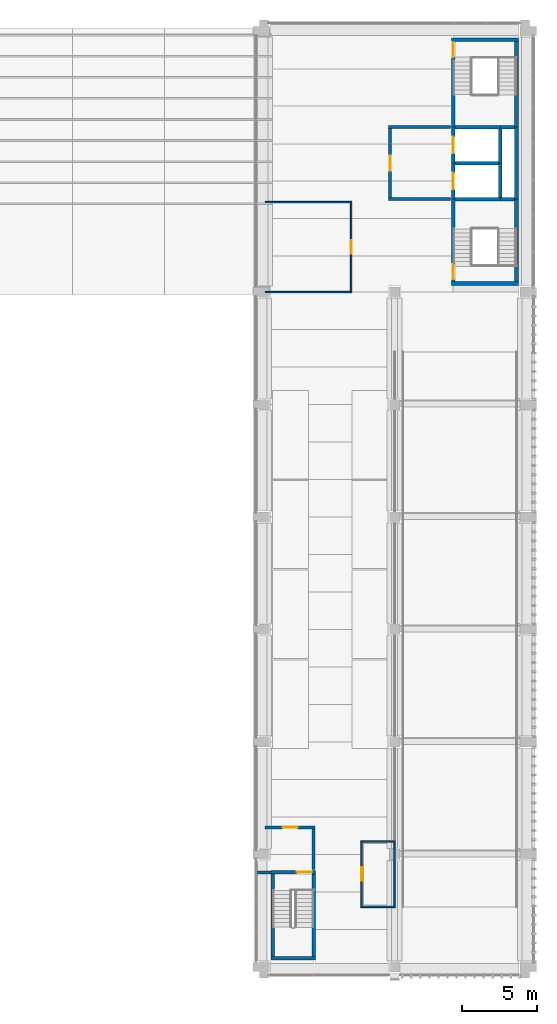
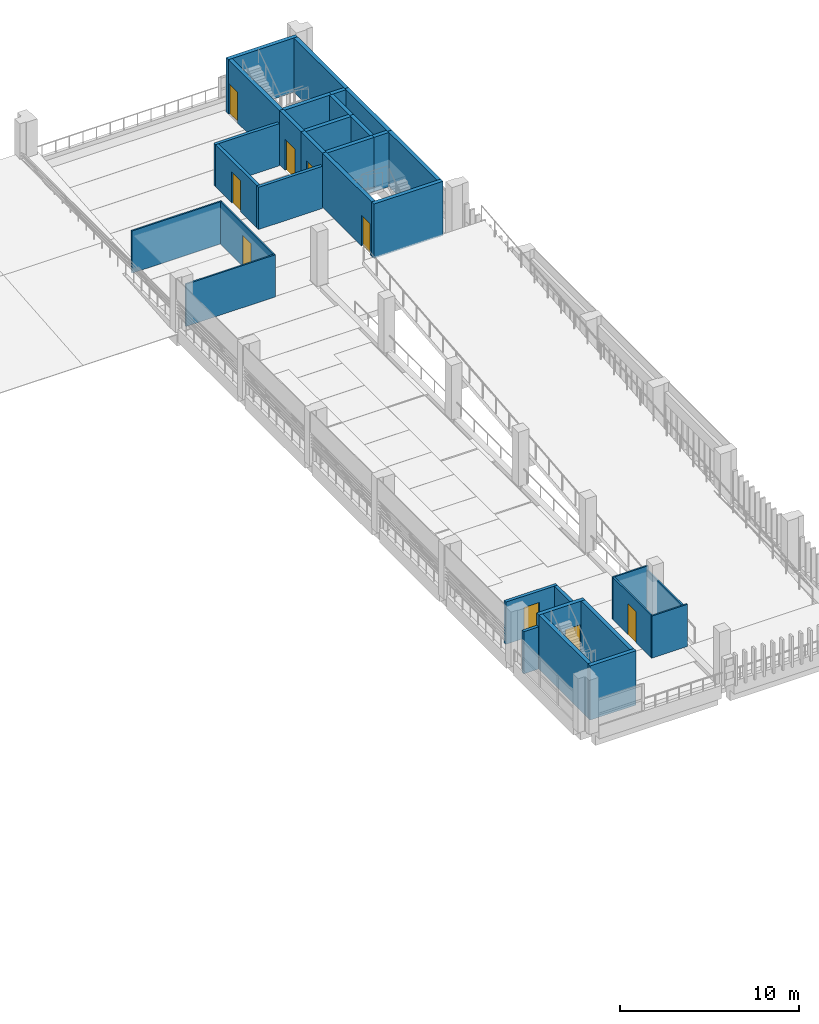
# One storey, part 13 of 24: 33 walls, 9 doors, 9 openings.
"""IFC4 building model written with IfcOpenShell, lengths in metres."""

from ifc_helpers import new_model, si_unit, direction, frame, frame_2d, origin, place, context, subcontext, project, spatial, rectangle, extrude, material, layer, layer_set, type_object, element, fill, save


model = new_model("IFC4")

# Units and contexts
model_context = context("Model", 3, precision=1e-05, world=origin(), true_north=direction((0.0, 1.0)))
body_context = subcontext(model_context, "Body", "Model", "MODEL_VIEW")
ifc_project = project(units=[si_unit("LENGTHUNIT", "METRE"), si_unit("AREAUNIT", "SQUARE_METRE"), si_unit("VOLUMEUNIT", "CUBIC_METRE"), si_unit("PLANEANGLEUNIT", "RADIAN"), si_unit("MASSUNIT", "GRAM", prefix="KILO")], contexts=[model_context])

# Site, building, storey
site_placement = place(None, origin())
site = spatial("IfcSite", under=ifc_project, at=site_placement, CompositionType="ELEMENT")
building_placement = place(site_placement, origin())
building = spatial("IfcBuilding", under=site, at=building_placement, Name="Cour d'Honneur Mobility Palace", CompositionType="ELEMENT")
storey_placement = place(building_placement, frame((0.0, 0.0, 26.699951171875)))
storey = spatial("IfcBuildingStorey", under=building, at=storey_placement, Name="L07", CompositionType="ELEMENT", Elevation=26.699951171875)

# Wall
ifc_material_1 = material(Name="Concrete C50", Category="concrete")
ifc_layer_1 = layer(ifc_material_1, 0.25)
ifc_layer_set_1 = layer_set([ifc_layer_1], Name="Concrete C50")
wall_type_1 = type_object("IfcWallType", Name="Lift shaft wall 250", PredefinedType="SHEAR", material=ifc_layer_set_1)
wall_1_placement = place(storey_placement, frame((157.625, 53.60009765625, 0.0), z_axis=(0.0, 0.0, 1.0), x_axis=(1.0, 0.0, 0.0)))
element("IfcWall", 1, at=wall_1_placement, inside=storey, type_object=wall_type_1, Name="Lift shaft wall WL-CE4 L07", PredefinedType="SHEAR", context=body_context, shape_type="SweptSolid", body=[
    extrude(rectangle(XDim=2.89990234375, YDim=0.25, at=frame_2d((1.449951171875, 0.0))), origin(), (0.0, 0.0, 1.0), 3.699951171875),
])

# Wall, opening, door
wall_2_placement = place(storey_placement, frame((157.5, 51.199951171875, 0.0), z_axis=(0.0, 0.0, 1.0), x_axis=(0.0, 1.0, 0.0)))
wall_2 = element("IfcWall", 2, at=wall_2_placement, inside=storey, type_object=wall_type_1, Name="Lift shaft wall WL-CE9 L07", PredefinedType="SHEAR", context=body_context, shape_type="SweptSolid", body=[
    extrude(rectangle(XDim=2.400146484375, YDim=0.25, at=frame_2d((1.2001953125, 0.0))), origin(), (0.0, 0.0, 1.0), 3.699951171875),
])
opening_1_placement = place(wall_2_placement, frame((0.64990234375, 0.0, 0.0)))
opening_1 = element("IfcOpeningElement", 3, at=opening_1_placement, cuts=wall_2, Name="Opening LD28", PredefinedType="OPENING", context=body_context, shape_type="SweptSolid", body=[
    extrude(rectangle(XDim=1.10009765625, YDim=2.10009765625, at=frame_2d((0.550048828125, 1.050048828125))), frame((0.0, 0.135009765625, 0.0), z_axis=(0.0, -1.0, 0.0), x_axis=(1.0, 0.0, 0.0)), (0.0, 0.0, 1.0), 0.27001953125),
])
ifc_material_2 = material(Name="Stainless steel", Category="steel")
door_type_1 = type_object("IfcDoorType", Name="Landing door 1100 x 2100", OperationType="SLIDING_TO_LEFT", PredefinedType="DOOR", material=ifc_material_2)
door_1_placement = place(opening_1_placement, origin())
door_1 = element("IfcDoor", 4, at=door_1_placement, inside=storey, type_object=door_type_1, Name="Landing door LF-CE1 L07", OperationType="SLIDING_TO_LEFT", OverallHeight=2.10009765625, OverallWidth=1.10009765625, PredefinedType="DOOR", context=body_context, shape_type="SweptSolid", body=[
    extrude(rectangle(XDim=1.10009765625, YDim=2.10009765625, at=frame_2d((0.550048828125, 1.050048828125))), frame((0.0, 0.02490234375, 0.0), z_axis=(0.0, -1.0, 0.0), x_axis=(1.0, 0.0, 0.0)), (0.0, 0.0, 1.0), 0.050048828125),
])
fill(opening_1, door_1)

wall_3_placement = place(storey_placement, frame((157.5, 53.60009765625, 0.0), z_axis=(0.0, 0.0, 1.0), x_axis=(0.0, 1.0, 0.0)))
wall_3 = element("IfcWall", 5, at=wall_3_placement, inside=storey, type_object=wall_type_1, Name="Lift shaft wall WL-CE10 L07", PredefinedType="SHEAR", context=body_context, shape_type="SweptSolid", body=[
    extrude(rectangle(XDim=2.39990234375, YDim=0.25, at=frame_2d((1.199951171875, 0.0))), origin(), (0.0, 0.0, 1.0), 3.699951171875),
])
opening_2_placement = place(wall_3_placement, frame((0.64990234375, 0.0, 0.0)))
opening_2 = element("IfcOpeningElement", 6, at=opening_2_placement, cuts=wall_3, Name="Opening LD38", PredefinedType="OPENING", context=body_context, shape_type="SweptSolid", body=[
    extrude(rectangle(XDim=1.10009765625, YDim=2.10009765625, at=frame_2d((0.550048828125, 1.050048828125))), frame((0.0, 0.135009765625, 0.0), z_axis=(0.0, -1.0, 0.0), x_axis=(1.0, 0.0, 0.0)), (0.0, 0.0, 1.0), 0.27001953125),
])
door_2_placement = place(opening_2_placement, origin())
door_2 = element("IfcDoor", 7, at=door_2_placement, inside=storey, type_object=door_type_1, Name="Landing door LF-CE2 L07", OperationType="SLIDING_TO_LEFT", OverallHeight=2.10009765625, OverallWidth=1.10009765625, PredefinedType="DOOR", context=body_context, shape_type="SweptSolid", body=[
    extrude(rectangle(XDim=1.10009765625, YDim=2.10009765625, at=frame_2d((0.550048828125, 1.050048828125))), frame((0.0, 0.02490234375, 0.0), z_axis=(0.0, -1.0, 0.0), x_axis=(1.0, 0.0, 0.0)), (0.0, 0.0, 1.0), 0.050048828125),
])
fill(opening_2, door_2)

# Walls
wall_4_placement = place(storey_placement, frame((160.64990234375, 51.324951171875, 0.0), z_axis=(0.0, 0.0, 1.0), x_axis=(0.0, 1.0, 0.0)))
element("IfcWall", 8, at=wall_4_placement, inside=storey, type_object=wall_type_1, Name="Lift shaft wall WL-CE12 L07", PredefinedType="SHEAR", context=body_context, shape_type="SweptSolid", body=[
    extrude(rectangle(XDim=2.275146484375, YDim=0.25, at=frame_2d((1.1376953125, 0.0))), origin(), (0.0, 0.0, 1.0), 3.699951171875),
])
wall_5_placement = place(storey_placement, frame((160.64990234375, 53.60009765625, 0.0), z_axis=(0.0, 0.0, 1.0), x_axis=(0.0, 1.0, 0.0)))
element("IfcWall", 9, at=wall_5_placement, inside=storey, type_object=wall_type_1, Name="Lift shaft wall WL-CE13 L07", PredefinedType="SHEAR", context=body_context, shape_type="SweptSolid", body=[
    extrude(rectangle(XDim=2.27490234375, YDim=0.25, at=frame_2d((1.137451171875, 0.0))), origin(), (0.0, 0.0, 1.0), 3.699951171875),
])
ifc_material_3 = material(Name="Gypsum plasterboard")
ifc_layer_2 = layer(ifc_material_3, 0.10009765625)
ifc_layer_set_2 = layer_set([ifc_layer_2], Name="Gypsum plasterboard")
wall_type_2 = type_object("IfcWallType", Name="Partition 100", PredefinedType="PARTITIONING", material=ifc_layer_set_2)
wall_6_placement = place(storey_placement, frame((151.35009765625, 4.0, 0.0), z_axis=(0.0, 0.0, 1.0), x_axis=(1.0, 0.0, 0.0)))
element("IfcWall", 10, at=wall_6_placement, inside=storey, type_object=wall_type_2, Name="Partition 003", PredefinedType="PARTITIONING", context=body_context, shape_type="SweptSolid", body=[
    extrude(rectangle(XDim=2.2998046875, YDim=0.10009765625, at=frame_2d((1.14990234375, 0.0))), origin(), (0.0, 0.0, 1.0), 2.880126953125),
])

# Wall, opening, door
wall_7_placement = place(storey_placement, frame((151.39990234375, 8.300048828125, 0.0), z_axis=(0.0, 0.0, 1.0), x_axis=(0.0, -1.0, 0.0)))
wall_7 = element("IfcWall", 11, at=wall_7_placement, inside=storey, type_object=wall_type_2, Name="Partition 010", PredefinedType="PARTITIONING", context=body_context, shape_type="SweptSolid", body=[
    extrude(rectangle(XDim=4.25, YDim=0.10009765625, at=frame_2d((2.125, 0.0))), origin(), (0.0, 0.0, 1.0), 2.880126953125),
])
opening_3_placement = place(wall_7_placement, frame((1.675048828125, 0.0, 0.0)))
opening_3 = element("IfcOpeningElement", 12, at=opening_3_placement, cuts=wall_7, Name="Opening D0705", PredefinedType="OPENING", context=body_context, shape_type="SweptSolid", body=[
    extrude(rectangle(XDim=0.89990234375, YDim=2.10009765625, at=frame_2d((0.449951171875, 1.050048828125))), frame((0.0, 0.06005859375, 0.0), z_axis=(0.0, -1.0, 0.0), x_axis=(1.0, 0.0, 0.0)), (0.0, 0.0, 1.0), 0.1201171875),
])
ifc_material_4 = material(Name="Solid timber", Category="wood")
door_type_2 = type_object("IfcDoorType", Name="Single door 900 x 2100", OperationType="SINGLE_SWING_LEFT", PredefinedType="DOOR", material=ifc_material_4)
door_3_placement = place(opening_3_placement, origin())
door_3 = element("IfcDoor", 13, at=door_3_placement, inside=storey, type_object=door_type_2, Name="Door Valet Handover East", OperationType="SINGLE_SWING_RIGHT", OverallHeight=2.10009765625, OverallWidth=0.89990234375, PredefinedType="DOOR", context=body_context, shape_type="SweptSolid", body=[
    extrude(rectangle(XDim=0.89990234375, YDim=2.10009765625, at=frame_2d((0.449951171875, 1.050048828125))), frame((0.0, 0.02490234375, 0.0), z_axis=(0.0, -1.0, 0.0), x_axis=(1.0, 0.0, 0.0)), (0.0, 0.0, 1.0), 0.050048828125),
])
fill(opening_3, door_3)

# Walls
wall_8_placement = place(storey_placement, frame((153.64990234375, 8.35009765625, 0.0), z_axis=(0.0, 0.0, 1.0), x_axis=(-1.0, 0.0, 0.0)))
element("IfcWall", 14, at=wall_8_placement, inside=storey, type_object=wall_type_2, Name="Partition 011", PredefinedType="PARTITIONING", context=body_context, shape_type="SweptSolid", body=[
    extrude(rectangle(XDim=2.2998046875, YDim=0.10009765625, at=frame_2d((1.14990234375, 0.0))), origin(), (0.0, 0.0, 1.0), 2.880126953125),
])
wall_9_placement = place(storey_placement, frame((144.9599609375, 45.0, 0.0), z_axis=(0.0, 0.0, 1.0), x_axis=(1.0, 0.0, 0.0)))
element("IfcWall", 15, at=wall_9_placement, inside=storey, type_object=wall_type_2, Name="Partition 016", PredefinedType="PARTITIONING", context=body_context, shape_type="SweptSolid", body=[
    extrude(rectangle(XDim=5.7900390625, YDim=0.10009765625, at=frame_2d((2.89501953125, 0.0))), origin(), (0.0, 0.0, 1.0), 2.880126953125),
])

# Wall, opening, door
wall_10_placement = place(storey_placement, frame((150.699951171875, 45.050048828125, 0.0), z_axis=(0.0, 0.0, 1.0), x_axis=(0.0, 1.0, 0.0)))
wall_10 = element("IfcWall", 16, at=wall_10_placement, inside=storey, type_object=wall_type_2, Name="Partition 017", PredefinedType="PARTITIONING", context=body_context, shape_type="SweptSolid", body=[
    extrude(rectangle(XDim=5.89990234375, YDim=0.10009765625, at=frame_2d((2.949951171875, 0.0))), origin(), (0.0, 0.0, 1.0), 2.880126953125),
])
opening_4_placement = place(wall_10_placement, frame((2.5, 0.0, 0.0)))
opening_4 = element("IfcOpeningElement", 17, at=opening_4_placement, cuts=wall_10, Name="Opening D0707", PredefinedType="OPENING", context=body_context, shape_type="SweptSolid", body=[
    extrude(rectangle(XDim=0.89990234375, YDim=2.10009765625, at=frame_2d((0.449951171875, 1.050048828125))), frame((0.0, 0.06005859375, 0.0), z_axis=(0.0, -1.0, 0.0), x_axis=(1.0, 0.0, 0.0)), (0.0, 0.0, 1.0), 0.1201171875),
])
door_4_placement = place(opening_4_placement, origin())
door_4 = element("IfcDoor", 18, at=door_4_placement, inside=storey, type_object=door_type_2, Name="Door Attendant Room", OperationType="SINGLE_SWING_RIGHT", OverallHeight=2.10009765625, OverallWidth=0.89990234375, PredefinedType="DOOR", context=body_context, shape_type="SweptSolid", body=[
    extrude(rectangle(XDim=0.89990234375, YDim=2.10009765625, at=frame_2d((0.449951171875, 1.050048828125))), frame((0.0, 0.02490234375, 0.0), z_axis=(0.0, -1.0, 0.0), x_axis=(1.0, 0.0, 0.0)), (0.0, 0.0, 1.0), 0.050048828125),
])
fill(opening_4, door_4)

# Walls
wall_11_placement = place(storey_placement, frame((150.75, 51.0, 0.0), z_axis=(0.0, 0.0, 1.0), x_axis=(-1.0, 0.0, 0.0)))
element("IfcWall", 19, at=wall_11_placement, inside=storey, type_object=wall_type_2, Name="Partition 020", PredefinedType="PARTITIONING", context=body_context, shape_type="SweptSolid", body=[
    extrude(rectangle(XDim=5.7900390625, YDim=0.10009765625, at=frame_2d((2.89501953125, 0.0))), origin(), (0.0, 0.0, 1.0), 2.880126953125),
])
ifc_material_5 = material(Name="Gypsum plasterboard")
ifc_layer_3 = layer(ifc_material_5, 0.10009765625)
ifc_layer_set_3 = layer_set([ifc_layer_3], Name="Gypsum plasterboard")
wall_type_3 = type_object("IfcWallType", Name="Partition 100 under beam 1100", PredefinedType="PARTITIONING", material=ifc_layer_set_3)
wall_12_placement = place(storey_placement, frame((153.60009765625, 4.050048828125, 0.0), z_axis=(0.0, 0.0, 1.0), x_axis=(0.0, 1.0, 0.0)))
element("IfcWall", 20, at=wall_12_placement, inside=storey, type_object=wall_type_3, Name="Partition 004", PredefinedType="PARTITIONING", context=body_context, shape_type="SweptSolid", body=[
    extrude(rectangle(XDim=4.25, YDim=0.10009765625, at=frame_2d((2.125, 0.0))), origin(), (0.0, 0.0, 1.0), 2.60009765625),
])
ifc_material_6 = material(Name="Gypsum plasterboard")
ifc_layer_4 = layer(ifc_material_6, 0.199951171875)
ifc_layer_set_4 = layer_set([ifc_layer_4], Name="Gypsum plasterboard")
wall_type_4 = type_object("IfcWallType", Name="Partition 200 rated EI 120", PredefinedType="PARTITIONING", material=ifc_layer_set_4)
wall_13_placement = place(storey_placement, frame((144.39990234375, 6.300048828125, 0.0), z_axis=(0.0, 0.0, 1.0), x_axis=(1.0, 0.0, 0.0)))
element("IfcWall", 21, at=wall_13_placement, inside=storey, type_object=wall_type_4, Name="Partition 006", PredefinedType="PARTITIONING", context=body_context, shape_type="SweptSolid", body=[
    extrude(rectangle(XDim=0.9501953125, YDim=0.199951171875, at=frame_2d((0.47509765625, 0.0))), origin(), (0.0, 0.0, 1.0), 2.880126953125),
])
wall_14_placement = place(storey_placement, frame((148.199951171875, 6.47509765625, 0.0), z_axis=(0.0, 0.0, 1.0), x_axis=(0.0, 1.0, 0.0)))
element("IfcWall", 22, at=wall_14_placement, inside=storey, type_object=wall_type_4, Name="Partition 007", PredefinedType="PARTITIONING", context=body_context, shape_type="SweptSolid", body=[
    extrude(rectangle(XDim=2.724853515625, YDim=0.199951171875, at=frame_2d((1.3623046875, 0.0))), origin(), (0.0, 0.0, 1.0), 2.880126953125),
])

# Wall, opening, door
wall_15_placement = place(storey_placement, frame((148.300048828125, 9.300048828125, 0.0), z_axis=(0.0, 0.0, 1.0), x_axis=(-1.0, 0.0, 0.0)))
wall_15 = element("IfcWall", 23, at=wall_15_placement, inside=storey, type_object=wall_type_4, Name="Partition 014", PredefinedType="PARTITIONING", context=body_context, shape_type="SweptSolid", body=[
    extrude(rectangle(XDim=3.340087890625, YDim=0.199951171875, at=frame_2d((1.669921875, 0.0))), origin(), (0.0, 0.0, 1.0), 2.880126953125),
])
opening_5_placement = place(wall_15_placement, frame((1.169921875, 0.0, 0.0)))
opening_5 = element("IfcOpeningElement", 24, at=opening_5_placement, cuts=wall_15, Name="Opening D0703", PredefinedType="OPENING", context=body_context, shape_type="SweptSolid", body=[
    extrude(rectangle(XDim=1.0, YDim=2.10009765625, at=frame_2d((0.5, 1.050048828125))), frame((0.0, 0.10986328125, 0.0), z_axis=(0.0, -1.0, 0.0), x_axis=(1.0, 0.0, 0.0)), (0.0, 0.0, 1.0), 0.219970703125),
])
ifc_material_7 = material(Name="Galvanised steel", Category="steel")
door_type_3 = type_object("IfcDoorType", Name="Fire door FD120 1000 x 2100", OperationType="SINGLE_SWING_LEFT", PredefinedType="DOOR", material=ifc_material_7)
door_5_placement = place(opening_5_placement, origin())
door_5 = element("IfcDoor", 25, at=door_5_placement, inside=storey, type_object=door_type_3, Name="Door Stair Lobby RE", OperationType="SINGLE_SWING_RIGHT", OverallHeight=2.10009765625, OverallWidth=1.0, PredefinedType="DOOR", context=body_context, shape_type="SweptSolid", body=[
    extrude(rectangle(XDim=1.0, YDim=2.10009765625, at=frame_2d((0.5, 1.050048828125))), frame((0.0, 0.02490234375, 0.0), z_axis=(0.0, -1.0, 0.0), x_axis=(1.0, 0.0, 0.0)), (0.0, 0.0, 1.0), 0.050048828125),
])
fill(opening_5, door_5)

# Wall
wall_16_placement = place(storey_placement, frame((153.199951171875, 51.199951171875, 0.0), z_axis=(0.0, 0.0, 1.0), x_axis=(1.0, 0.0, 0.0)))
element("IfcWall", 26, at=wall_16_placement, inside=storey, type_object=wall_type_4, Name="Partition 023", PredefinedType="PARTITIONING", context=body_context, shape_type="SweptSolid", body=[
    extrude(rectangle(XDim=4.125, YDim=0.199951171875, at=frame_2d((2.0625, 0.0))), origin(), (0.0, 0.0, 1.0), 2.880126953125),
])

# Wall, opening, door
wall_17_placement = place(storey_placement, frame((153.300048828125, 55.89990234375, 0.0), z_axis=(0.0, 0.0, 1.0), x_axis=(0.0, -1.0, 0.0)))
wall_17 = element("IfcWall", 27, at=wall_17_placement, inside=storey, type_object=wall_type_4, Name="Partition 025", PredefinedType="PARTITIONING", context=body_context, shape_type="SweptSolid", body=[
    extrude(rectangle(XDim=4.599853515625, YDim=0.199951171875, at=frame_2d((2.2998046875, 0.0))), origin(), (0.0, 0.0, 1.0), 2.880126953125),
])
opening_6_placement = place(wall_17_placement, frame((1.800048828125, 0.0, 0.0)))
opening_6 = element("IfcOpeningElement", 28, at=opening_6_placement, cuts=wall_17, Name="Opening D0708", PredefinedType="OPENING", context=body_context, shape_type="SweptSolid", body=[
    extrude(rectangle(XDim=1.0, YDim=2.10009765625, at=frame_2d((0.5, 1.050048828125))), frame((0.0, 0.10986328125, 0.0), z_axis=(0.0, -1.0, 0.0), x_axis=(1.0, 0.0, 0.0)), (0.0, 0.0, 1.0), 0.219970703125),
])
door_6_placement = place(opening_6_placement, origin())
door_6 = element("IfcDoor", 29, at=door_6_placement, inside=storey, type_object=door_type_3, Name="Door Firefighting Lobby CE", OperationType="SINGLE_SWING_LEFT", OverallHeight=2.10009765625, OverallWidth=1.0, PredefinedType="DOOR", context=body_context, shape_type="SweptSolid", body=[
    extrude(rectangle(XDim=1.0, YDim=2.10009765625, at=frame_2d((0.5, 1.050048828125))), frame((0.0, 0.02490234375, 0.0), z_axis=(0.0, -1.0, 0.0), x_axis=(1.0, 0.0, 0.0)), (0.0, 0.0, 1.0), 0.050048828125),
])
fill(opening_6, door_6)

# Walls
wall_18_placement = place(storey_placement, frame((157.324951171875, 56.0, 0.0), z_axis=(0.0, 0.0, 1.0), x_axis=(-1.0, 0.0, 0.0)))
element("IfcWall", 30, at=wall_18_placement, inside=storey, type_object=wall_type_4, Name="Partition 026", PredefinedType="PARTITIONING", context=body_context, shape_type="SweptSolid", body=[
    extrude(rectangle(XDim=4.125, YDim=0.199951171875, at=frame_2d((2.0625, 0.0))), origin(), (0.0, 0.0, 1.0), 2.880126953125),
])
ifc_material_8 = material(Name="Concrete C50", Category="concrete")
ifc_layer_5 = layer(ifc_material_8, 0.25)
ifc_layer_set_5 = layer_set([ifc_layer_5], Name="Concrete C50")
wall_type_5 = type_object("IfcWallType", Name="Shaft wall 250", PredefinedType="SHEAR", material=ifc_layer_set_5)
wall_19_placement = place(storey_placement, frame((161.72509765625, 51.199951171875, 0.0), z_axis=(0.0, 0.0, 1.0), x_axis=(0.0, 1.0, 0.0)))
element("IfcWall", 31, at=wall_19_placement, inside=storey, type_object=wall_type_5, Name="Shaft wall WR-CE15 L07", PredefinedType="SHEAR", context=body_context, shape_type="SweptSolid", body=[
    extrude(rectangle(XDim=4.800048828125, YDim=0.25, at=frame_2d((2.39990234375, 0.0))), origin(), (0.0, 0.0, 1.0), 3.699951171875),
])
ifc_material_9 = material(Name="Concrete C50", Category="concrete")
ifc_layer_6 = layer(ifc_material_9, 0.25)
ifc_layer_set_6 = layer_set([ifc_layer_6], Name="Concrete C50")
wall_type_6 = type_object("IfcWallType", Name="Stair wall 250", PredefinedType="SHEAR", material=ifc_layer_set_6)
wall_20_placement = place(storey_placement, frame((157.375, 45.574951171875, 0.0), z_axis=(0.0, 0.0, 1.0), x_axis=(1.0, 0.0, 0.0)))
element("IfcWall", 32, at=wall_20_placement, inside=storey, type_object=wall_type_6, Name="Stair wall WS-CE1 L07", PredefinedType="SHEAR", context=body_context, shape_type="SweptSolid", body=[
    extrude(rectangle(XDim=4.47509765625, YDim=0.25, at=frame_2d((2.237548828125, 0.0))), origin(), (0.0, 0.0, 1.0), 3.699951171875),
])
wall_21_placement = place(storey_placement, frame((157.625, 51.199951171875, 0.0), z_axis=(0.0, 0.0, 1.0), x_axis=(1.0, 0.0, 0.0)))
element("IfcWall", 33, at=wall_21_placement, inside=storey, type_object=wall_type_6, Name="Stair wall WS-CE2 L07", PredefinedType="SHEAR", context=body_context, shape_type="SweptSolid", body=[
    extrude(rectangle(XDim=3.02490234375, YDim=0.25, at=frame_2d((1.512451171875, 0.0))), origin(), (0.0, 0.0, 1.0), 3.699951171875),
])
wall_22_placement = place(storey_placement, frame((160.64990234375, 51.199951171875, 0.0), z_axis=(0.0, 0.0, 1.0), x_axis=(1.0, 0.0, 0.0)))
element("IfcWall", 34, at=wall_22_placement, inside=storey, type_object=wall_type_6, Name="Stair wall WS-CE3 L07", PredefinedType="SHEAR", context=body_context, shape_type="SweptSolid", body=[
    extrude(rectangle(XDim=0.9501953125, YDim=0.25, at=frame_2d((0.47509765625, 0.0))), origin(), (0.0, 0.0, 1.0), 3.699951171875),
])
wall_23_placement = place(storey_placement, frame((157.625, 56.0, 0.0), z_axis=(0.0, 0.0, 1.0), x_axis=(1.0, 0.0, 0.0)))
element("IfcWall", 35, at=wall_23_placement, inside=storey, type_object=wall_type_6, Name="Stair wall WS-CE5 L07", PredefinedType="SHEAR", context=body_context, shape_type="SweptSolid", body=[
    extrude(rectangle(XDim=3.02490234375, YDim=0.25, at=frame_2d((1.512451171875, 0.0))), origin(), (0.0, 0.0, 1.0), 3.699951171875),
])
wall_24_placement = place(storey_placement, frame((160.64990234375, 56.0, 0.0), z_axis=(0.0, 0.0, 1.0), x_axis=(1.0, 0.0, 0.0)))
element("IfcWall", 36, at=wall_24_placement, inside=storey, type_object=wall_type_6, Name="Stair wall WS-CE6 L07", PredefinedType="SHEAR", context=body_context, shape_type="SweptSolid", body=[
    extrude(rectangle(XDim=0.9501953125, YDim=0.25, at=frame_2d((0.47509765625, 0.0))), origin(), (0.0, 0.0, 1.0), 3.699951171875),
])
wall_25_placement = place(storey_placement, frame((157.375, 61.824951171875, 0.0), z_axis=(0.0, 0.0, 1.0), x_axis=(1.0, 0.0, 0.0)))
element("IfcWall", 37, at=wall_25_placement, inside=storey, type_object=wall_type_6, Name="Stair wall WS-CE7 L07", PredefinedType="SHEAR", context=body_context, shape_type="SweptSolid", body=[
    extrude(rectangle(XDim=4.47509765625, YDim=0.25, at=frame_2d((2.237548828125, 0.0))), origin(), (0.0, 0.0, 1.0), 3.699951171875),
])

# Wall, opening, door
wall_26_placement = place(storey_placement, frame((157.5, 45.699951171875, 0.0), z_axis=(0.0, 0.0, 1.0), x_axis=(0.0, 1.0, 0.0)))
wall_26 = element("IfcWall", 38, at=wall_26_placement, inside=storey, type_object=wall_type_6, Name="Stair wall WS-CE8 L07", PredefinedType="SHEAR", context=body_context, shape_type="SweptSolid", body=[
    extrude(rectangle(XDim=5.5, YDim=0.25, at=frame_2d((2.75, 0.0))), origin(), (0.0, 0.0, 1.0), 3.699951171875),
])
opening_7_placement = place(wall_26_placement, frame((0.14990234375, 0.0, 0.0)))
opening_7 = element("IfcOpeningElement", 39, at=opening_7_placement, cuts=wall_26, Name="Opening S146", PredefinedType="OPENING", context=body_context, shape_type="SweptSolid", body=[
    extrude(rectangle(XDim=1.0, YDim=2.10009765625, at=frame_2d((0.5, 1.050048828125))), frame((0.0, 0.135009765625, 0.0), z_axis=(0.0, -1.0, 0.0), x_axis=(1.0, 0.0, 0.0)), (0.0, 0.0, 1.0), 0.27001953125),
])
ifc_material_10 = material(Name="Galvanised steel", Category="steel")
door_type_4 = type_object("IfcDoorType", Name="Fire door FD120 stair 1000 x 2100", OperationType="SINGLE_SWING_LEFT", PredefinedType="DOOR", material=ifc_material_10)
door_7_placement = place(opening_7_placement, origin())
door_7 = element("IfcDoor", 40, at=door_7_placement, inside=storey, type_object=door_type_4, Name="Stair door ST-CE1 L07", OperationType="SINGLE_SWING_LEFT", OverallHeight=2.10009765625, OverallWidth=1.0, PredefinedType="DOOR", context=body_context, shape_type="SweptSolid", body=[
    extrude(rectangle(XDim=1.0, YDim=2.10009765625, at=frame_2d((0.5, 1.050048828125))), frame((0.0, 0.02490234375, 0.0), z_axis=(0.0, -1.0, 0.0), x_axis=(1.0, 0.0, 0.0)), (0.0, 0.0, 1.0), 0.050048828125),
])
fill(opening_7, door_7)

wall_27_placement = place(storey_placement, frame((157.5, 56.0, 0.0), z_axis=(0.0, 0.0, 1.0), x_axis=(0.0, 1.0, 0.0)))
wall_27 = element("IfcWall", 41, at=wall_27_placement, inside=storey, type_object=wall_type_6, Name="Stair wall WS-CE11 L07", PredefinedType="SHEAR", context=body_context, shape_type="SweptSolid", body=[
    extrude(rectangle(XDim=5.699951171875, YDim=0.25, at=frame_2d((2.85009765625, 0.0))), origin(), (0.0, 0.0, 1.0), 3.699951171875),
])
opening_8_placement = place(wall_27_placement, frame((4.675048828125, 0.0, 0.0)))
opening_8 = element("IfcOpeningElement", 42, at=opening_8_placement, cuts=wall_27, Name="Opening S82", PredefinedType="OPENING", context=body_context, shape_type="SweptSolid", body=[
    extrude(rectangle(XDim=1.0, YDim=2.10009765625, at=frame_2d((0.5, 1.050048828125))), frame((0.0, 0.135009765625, 0.0), z_axis=(0.0, -1.0, 0.0), x_axis=(1.0, 0.0, 0.0)), (0.0, 0.0, 1.0), 0.27001953125),
])
door_8_placement = place(opening_8_placement, origin())
door_8 = element("IfcDoor", 43, at=door_8_placement, inside=storey, type_object=door_type_4, Name="Stair door ST-CE2 L07", OperationType="SINGLE_SWING_RIGHT", OverallHeight=2.10009765625, OverallWidth=1.0, PredefinedType="DOOR", context=body_context, shape_type="SweptSolid", body=[
    extrude(rectangle(XDim=1.0, YDim=2.10009765625, at=frame_2d((0.5, 1.050048828125))), frame((0.0, 0.02490234375, 0.0), z_axis=(0.0, -1.0, 0.0), x_axis=(1.0, 0.0, 0.0)), (0.0, 0.0, 1.0), 0.050048828125),
])
fill(opening_8, door_8)

# Walls
wall_28_placement = place(storey_placement, frame((161.72509765625, 45.699951171875, 0.0), z_axis=(0.0, 0.0, 1.0), x_axis=(0.0, 1.0, 0.0)))
element("IfcWall", 44, at=wall_28_placement, inside=storey, type_object=wall_type_6, Name="Stair wall WS-CE14 L07", PredefinedType="SHEAR", context=body_context, shape_type="SweptSolid", body=[
    extrude(rectangle(XDim=5.5, YDim=0.25, at=frame_2d((2.75, 0.0))), origin(), (0.0, 0.0, 1.0), 3.699951171875),
])
wall_29_placement = place(storey_placement, frame((161.72509765625, 56.0, 0.0), z_axis=(0.0, 0.0, 1.0), x_axis=(0.0, 1.0, 0.0)))
element("IfcWall", 45, at=wall_29_placement, inside=storey, type_object=wall_type_6, Name="Stair wall WS-CE16 L07", PredefinedType="SHEAR", context=body_context, shape_type="SweptSolid", body=[
    extrude(rectangle(XDim=5.699951171875, YDim=0.25, at=frame_2d((2.85009765625, 0.0))), origin(), (0.0, 0.0, 1.0), 3.699951171875),
])
wall_30_placement = place(storey_placement, frame((145.35009765625, 0.574951171875, 0.0), z_axis=(0.0, 0.0, 1.0), x_axis=(1.0, 0.0, 0.0)))
element("IfcWall", 46, at=wall_30_placement, inside=storey, type_object=wall_type_6, Name="Stair wall WS-RE1 L07", PredefinedType="SHEAR", context=body_context, shape_type="SweptSolid", body=[
    extrude(rectangle(XDim=2.974853515625, YDim=0.25, at=frame_2d((1.4873046875, 0.0))), origin(), (0.0, 0.0, 1.0), 3.699951171875),
])

# Wall, opening, door
wall_31_placement = place(storey_placement, frame((145.35009765625, 6.300048828125, 0.0), z_axis=(0.0, 0.0, 1.0), x_axis=(1.0, 0.0, 0.0)))
wall_31 = element("IfcWall", 47, at=wall_31_placement, inside=storey, type_object=wall_type_6, Name="Stair wall WS-RE2 L07", PredefinedType="SHEAR", context=body_context, shape_type="SweptSolid", body=[
    extrude(rectangle(XDim=2.974853515625, YDim=0.25, at=frame_2d((1.4873046875, 0.0))), origin(), (0.0, 0.0, 1.0), 3.699951171875),
])
opening_9_placement = place(wall_31_placement, frame((1.72509765625, 0.0, 0.0)))
opening_9 = element("IfcOpeningElement", 48, at=opening_9_placement, cuts=wall_31, Name="Opening S126", PredefinedType="OPENING", context=body_context, shape_type="SweptSolid", body=[
    extrude(rectangle(XDim=1.0, YDim=2.10009765625, at=frame_2d((0.5, 1.050048828125))), frame((0.0, 0.135009765625, 0.0), z_axis=(0.0, -1.0, 0.0), x_axis=(1.0, 0.0, 0.0)), (0.0, 0.0, 1.0), 0.27001953125),
])
door_9_placement = place(opening_9_placement, origin())
door_9 = element("IfcDoor", 49, at=door_9_placement, inside=storey, type_object=door_type_4, Name="Stair door ST-RE1 L07", OperationType="SINGLE_SWING_RIGHT", OverallHeight=2.10009765625, OverallWidth=1.0, PredefinedType="DOOR", context=body_context, shape_type="SweptSolid", body=[
    extrude(rectangle(XDim=1.0, YDim=2.10009765625, at=frame_2d((0.5, 1.050048828125))), frame((0.0, 0.02490234375, 0.0), z_axis=(0.0, -1.0, 0.0), x_axis=(1.0, 0.0, 0.0)), (0.0, 0.0, 1.0), 0.050048828125),
])
fill(opening_9, door_9)

# Walls
for number, where, z_axis, x_axis, name in (
    (50, (145.47509765625, 0.699951171875, 0.0), (0.0, 0.0, 1.0), (0.0, 1.0, 0.0), "Stair wall WS-RE3 L07"),
    (51, (148.199951171875, 0.699951171875, 0.0), (0.0, 0.0, 1.0), (0.0, 1.0, 0.0), "Stair wall WS-RE4 L07"),
):
    element("IfcWall", number, at=place(storey_placement, frame(where, z_axis=z_axis, x_axis=x_axis)), inside=storey, type_object=wall_type_6, Name=name, PredefinedType="SHEAR", context=body_context, shape_type="SweptSolid", body=[
        extrude(rectangle(XDim=5.47509765625, YDim=0.25, at=frame_2d((2.737548828125, 0.0))), origin(), (0.0, 0.0, 1.0), 3.699951171875),
    ])

save(model, "model.ifc")
